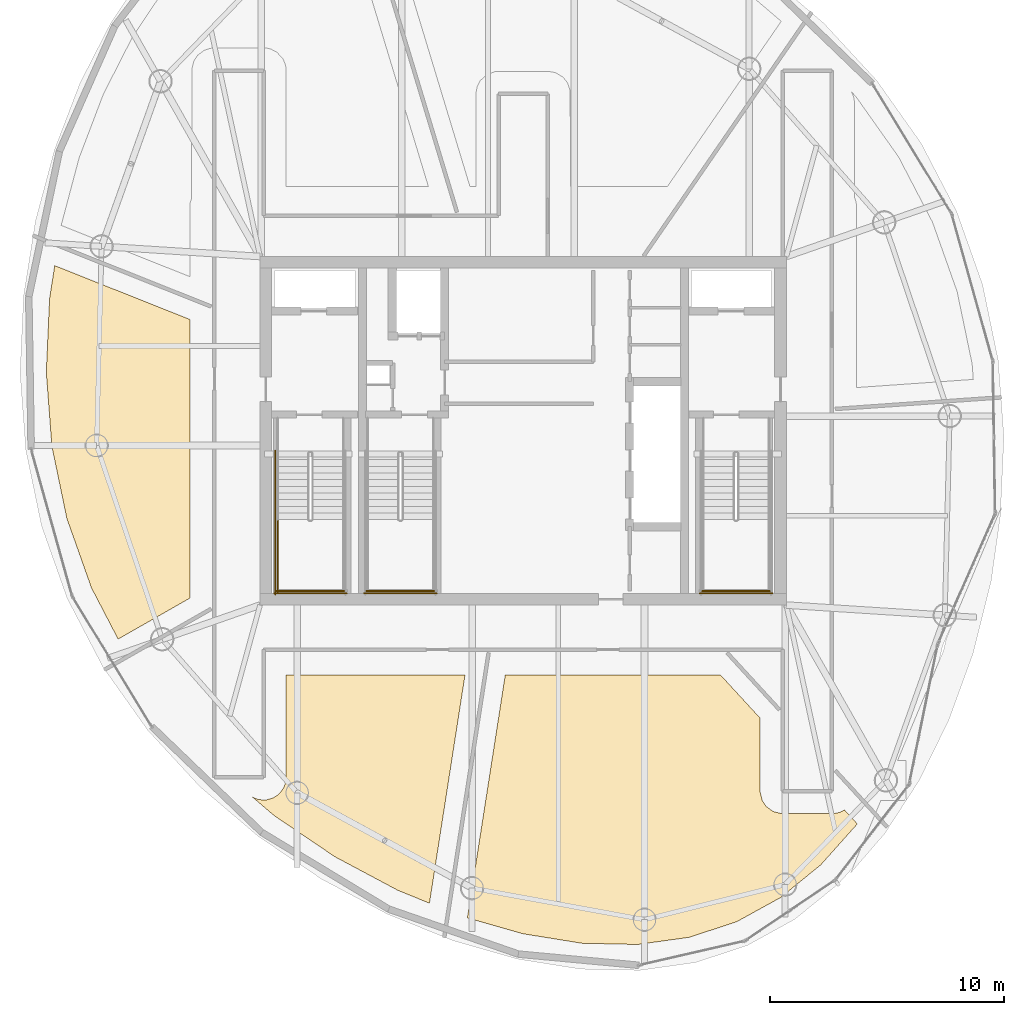
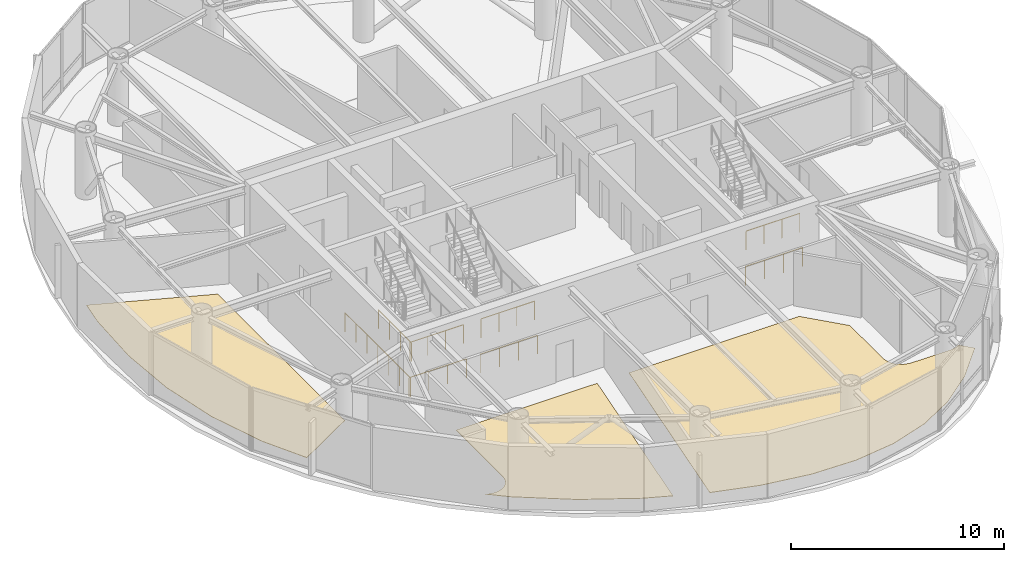
# One storey, part 17 of 19: 8 railings, 3 coverings.
"""IFC4 building model written with IfcOpenShell, lengths in metres."""

from ifc_helpers import new_model, si_unit, direction, frame, origin, origin_2d, place, context, subcontext, project, spatial, polyline, circle, outline, extrude, material, layer, layer_set, type_object, element, save


model = new_model("IFC4")

# Units and contexts
model_context = context("Model", 3, precision=1e-05, world=origin(), true_north=direction((0.0, 1.0)))
body_context = subcontext(model_context, "Body", "Model", "MODEL_VIEW")
ifc_project = project(units=[si_unit("LENGTHUNIT", "METRE"), si_unit("AREAUNIT", "SQUARE_METRE"), si_unit("VOLUMEUNIT", "CUBIC_METRE"), si_unit("PLANEANGLEUNIT", "RADIAN"), si_unit("MASSUNIT", "GRAM", prefix="KILO")], contexts=[model_context])

# Site, building, storey
site_placement = place(None, origin())
site = spatial("IfcSite", under=ifc_project, at=site_placement, CompositionType="ELEMENT")
building_placement = place(site_placement, origin())
building = spatial("IfcBuilding", under=site, at=building_placement, Name="Bramvorn Convention Spire", CompositionType="ELEMENT")
storey_placement = place(building_placement, frame((0.0, 0.0, 299.800048828125)))
storey = spatial("IfcBuildingStorey", under=building, at=storey_placement, Name="L76", CompositionType="ELEMENT", Elevation=299.800048828125)

# Coverings
ifc_material_1 = material(Name="Honed Dolomitic Limestone Terrazzo Flooring", Category="masonry")
ifc_layer = layer(ifc_material_1, 0.02490234375)
ifc_layer_set = layer_set([ifc_layer], Name="Honed Dolomitic Limestone Terrazzo Flooring - FLR-TERRAZZO-25")
covering_type = type_object("IfcCoveringType", Name="FLR-TERRAZZO-25", PredefinedType="FLOORING", material=ifc_layer_set)
covering_1_placement = place(storey_placement, origin())
element("IfcCovering", 1, at=covering_1_placement, inside=storey, type_object=covering_type, Name="L76 Exhibition Main Kitchen 4 raised floor finish", PredefinedType="FLOORING", context=body_context, shape_type="SweptSolid", body=[
    extrude(outline(polyline([(20.682373046875, 17.09521484375), (23.75, 18.845947265625), (23.75, 30.760009765625), (17.973388671875, 33.060302734375), (17.75244140625, 31.6494140625), (17.612548828125, 28.494140625), (17.851318359375, 25.338623046875), (18.49267578125, 22.2490234375), (19.544189453125, 19.28369140625), (20.682373046875, 17.09521484375)])), origin(), (0.0, 0.0, 1.0), 0.02490234375),
])
covering_2_placement = place(storey_placement, origin())
element("IfcCovering", 2, at=covering_2_placement, inside=storey, type_object=covering_type, Name="L76 Sommelier Wine Cellar Store 5 raised floor finish", PredefinedType="FLOORING", context=body_context, shape_type="SweptSolid", body=[
    extrude(outline(polyline([(27.36572265625, 9.5400390625), (29.949951171875, 7.790283203125), (32.63330078125, 6.358154296875), (33.99267578125, 5.80419921875), (35.51123046875, 15.550048828125), (27.8701171875, 15.550048828125), (27.8701171875, 11.185791015625), (27.8388671875, 10.9423828125), (27.772705078125, 10.7626953125), (27.61865234375, 10.534423828125), (27.476318359375, 10.40576171875), (27.30078125, 10.302734375), (27.03662109375, 10.2255859375), (26.84521484375, 10.217529296875), (26.644287109375, 10.250244140625), (26.4287109375, 10.33935546875), (27.36572265625, 9.5400390625)])), origin(), (0.0, 0.0, 1.0), 0.02490234375),
])
covering_3_placement = place(storey_placement, origin())
element("IfcCovering", 3, at=covering_3_placement, inside=storey, type_object=covering_type, Name="L76 Private Event Meeting Suite 6 raised floor finish", PredefinedType="FLOORING", context=body_context, shape_type="SweptSolid", body=[
    extrude(outline(polyline([(37.98193359375, 4.499267578125), (40.515380859375, 4.091796875), (42.893798828125, 4.040283203125), (45.0966796875, 4.346435546875), (47.1259765625, 5.011962890625), (48.996337890625, 6.0419921875), (50.72265625, 7.444580078125), (52.284423828125, 9.193603515625), (51.73486328125, 9.7919921875), (51.521240234375, 9.684814453125), (51.25341796875, 9.631591796875), (49.058349609375, 9.631103515625), (48.690673828125, 9.720703125), (48.38525390625, 9.9443359375), (48.220703125, 10.190673828125), (48.131591796875, 10.54638671875), (48.1298828125, 13.71630859375), (46.4453125, 15.550048828125), (37.231689453125, 15.550048828125), (35.615478515625, 5.177001953125), (37.98193359375, 4.499267578125)])), origin(), (0.0, 0.0, 1.0), 0.02490234375),
])

# Railings
ifc_material_2 = material(Name="Painted Steel Balustrade & Guardrail", Category="steel")
railing_type = type_object("IfcRailingType", Name="RL-STAIR-GUARD-1100", PredefinedType="GUARDRAIL", material=ifc_material_2)
railing_1_placement = place(storey_placement, frame((27.5, 22.199951171875, 1.925048828125)))
element("IfcRailing", 4, at=railing_1_placement, inside=storey, type_object=railing_type, Name="L76 ST1 stair guard 3", PredefinedType="GUARDRAIL", context=body_context, shape_type="SweptSolid", body=[
    extrude(circle(Radius=0.02392578125, at=origin_2d()), frame((0.0, 0.0, 1.076171875), z_axis=(0.0, -1.0, 0.0), x_axis=(1.0, 0.0, 0.0)), (0.0, 0.0, 1.0), 3.099853515625),
    extrude(circle(Radius=0.02099609375, at=origin_2d()), origin(), (0.0, 0.0, 1.0), 1.052001953125),
    extrude(circle(Radius=0.02099609375, at=origin_2d()), frame((0.0, -1.033203125, 0.0)), (0.0, 0.0, 1.0), 1.052001953125),
    extrude(circle(Radius=0.02099609375, at=origin_2d()), frame((0.0, -2.066650390625, 0.0)), (0.0, 0.0, 1.0), 1.052001953125),
    extrude(circle(Radius=0.02099609375, at=origin_2d()), frame((0.0, -3.099853515625, 0.0)), (0.0, 0.0, 1.0), 1.052001953125),
])
railing_2_placement = place(storey_placement, frame((27.449951171875, 19.14990234375, 1.925048828125)))
element("IfcRailing", 5, at=railing_2_placement, inside=storey, type_object=railing_type, Name="L76 ST1 stair guard 5", PredefinedType="GUARDRAIL", context=body_context, shape_type="SweptSolid", body=[
    extrude(circle(Radius=0.02392578125, at=origin_2d()), frame((0.0, 0.0, 1.076171875), z_axis=(1.0, 0.0, 0.0), x_axis=(0.0, 1.0, 0.0)), (0.0, 0.0, 1.0), 2.900146484375),
    extrude(circle(Radius=0.02099609375, at=origin_2d()), origin(), (0.0, 0.0, 1.0), 1.052001953125),
    extrude(circle(Radius=0.02099609375, at=origin_2d()), frame((0.966796875, 0.0, 0.0)), (0.0, 0.0, 1.0), 1.052001953125),
    extrude(circle(Radius=0.02099609375, at=origin_2d()), frame((1.933349609375, 0.0, 0.0)), (0.0, 0.0, 1.0), 1.052001953125),
    extrude(circle(Radius=0.02099609375, at=origin_2d()), frame((2.900146484375, 0.0, 0.0)), (0.0, 0.0, 1.0), 1.052001953125),
])
railing_3_placement = place(storey_placement, frame((27.39990234375, 25.14990234375, 0.0)))
element("IfcRailing", 6, at=railing_3_placement, inside=storey, type_object=railing_type, Name="L76 ST1 stair guard 10", PredefinedType="GUARDRAIL", context=body_context, shape_type="SweptSolid", body=[
    extrude(circle(Radius=0.02392578125, at=origin_2d()), frame((0.0, 0.0, 1.076171875), z_axis=(0.0, -1.0, 0.0), x_axis=(1.0, 0.0, 0.0)), (0.0, 0.0, 1.0), 6.14990234375),
    extrude(circle(Radius=0.02099609375, at=origin_2d()), origin(), (0.0, 0.0, 1.0), 1.052001953125),
    extrude(circle(Radius=0.02099609375, at=origin_2d()), frame((0.0, -1.02490234375, 0.0)), (0.0, 0.0, 1.0), 1.052001953125),
    extrude(circle(Radius=0.02099609375, at=origin_2d()), frame((0.0, -2.050048828125, 0.0)), (0.0, 0.0, 1.0), 1.052001953125),
    extrude(circle(Radius=0.02099609375, at=origin_2d()), frame((0.0, -3.074951171875, 0.0)), (0.0, 0.0, 1.0), 1.052001953125),
    extrude(circle(Radius=0.02099609375, at=origin_2d()), frame((0.0, -4.099853515625, 0.0)), (0.0, 0.0, 1.0), 1.052001953125),
    extrude(circle(Radius=0.02099609375, at=origin_2d()), frame((0.0, -5.125, 0.0)), (0.0, 0.0, 1.0), 1.052001953125),
    extrude(circle(Radius=0.02099609375, at=origin_2d()), frame((0.0, -6.14990234375, 0.0)), (0.0, 0.0, 1.0), 1.052001953125),
])
railing_4_placement = place(storey_placement, frame((27.35009765625, 19.050048828125, 0.0)))
element("IfcRailing", 7, at=railing_4_placement, inside=storey, type_object=railing_type, Name="L76 ST1 stair guard 12", PredefinedType="GUARDRAIL", context=body_context, shape_type="SweptSolid", body=[
    extrude(circle(Radius=0.02392578125, at=origin_2d()), frame((0.0, 0.0, 1.076171875), z_axis=(1.0, 0.0, 0.0), x_axis=(0.0, 1.0, 0.0)), (0.0, 0.0, 1.0), 3.099853515625),
    extrude(circle(Radius=0.02099609375, at=origin_2d()), origin(), (0.0, 0.0, 1.0), 1.052001953125),
    extrude(circle(Radius=0.02099609375, at=origin_2d()), frame((1.033203125, 0.0, 0.0)), (0.0, 0.0, 1.0), 1.052001953125),
    extrude(circle(Radius=0.02099609375, at=origin_2d()), frame((2.066650390625, 0.0, 0.0)), (0.0, 0.0, 1.0), 1.052001953125),
    extrude(circle(Radius=0.02099609375, at=origin_2d()), frame((3.099853515625, 0.0, 0.0)), (0.0, 0.0, 1.0), 1.052001953125),
])
railing_5_placement = place(storey_placement, frame((45.64990234375, 19.14990234375, 1.925048828125)))
element("IfcRailing", 8, at=railing_5_placement, inside=storey, type_object=railing_type, Name="L76 ST2 stair guard 5", PredefinedType="GUARDRAIL", context=body_context, shape_type="SweptSolid", body=[
    extrude(circle(Radius=0.02392578125, at=origin_2d()), frame((0.0, 0.0, 1.076171875), z_axis=(1.0, 0.0, 0.0), x_axis=(0.0, 1.0, 0.0)), (0.0, 0.0, 1.0), 2.900146484375),
    extrude(circle(Radius=0.02099609375, at=origin_2d()), origin(), (0.0, 0.0, 1.0), 1.052001953125),
    extrude(circle(Radius=0.02099609375, at=origin_2d()), frame((0.966796875, 0.0, 0.0)), (0.0, 0.0, 1.0), 1.052001953125),
    extrude(circle(Radius=0.02099609375, at=origin_2d()), frame((1.933349609375, 0.0, 0.0)), (0.0, 0.0, 1.0), 1.052001953125),
    extrude(circle(Radius=0.02099609375, at=origin_2d()), frame((2.900146484375, 0.0, 0.0)), (0.0, 0.0, 1.0), 1.052001953125),
])
railing_6_placement = place(storey_placement, frame((45.550048828125, 19.050048828125, 0.0)))
element("IfcRailing", 9, at=railing_6_placement, inside=storey, type_object=railing_type, Name="L76 ST2 stair guard 12", PredefinedType="GUARDRAIL", context=body_context, shape_type="SweptSolid", body=[
    extrude(circle(Radius=0.02392578125, at=origin_2d()), frame((0.0, 0.0, 1.076171875), z_axis=(1.0, 0.0, 0.0), x_axis=(0.0, 1.0, 0.0)), (0.0, 0.0, 1.0), 3.099853515625),
    extrude(circle(Radius=0.02099609375, at=origin_2d()), origin(), (0.0, 0.0, 1.0), 1.052001953125),
    extrude(circle(Radius=0.02099609375, at=origin_2d()), frame((1.033203125, 0.0, 0.0)), (0.0, 0.0, 1.0), 1.052001953125),
    extrude(circle(Radius=0.02099609375, at=origin_2d()), frame((2.066650390625, 0.0, 0.0)), (0.0, 0.0, 1.0), 1.052001953125),
    extrude(circle(Radius=0.02099609375, at=origin_2d()), frame((3.099853515625, 0.0, 0.0)), (0.0, 0.0, 1.0), 1.052001953125),
])
railing_7_placement = place(storey_placement, frame((31.300048828125, 19.14990234375, 1.925048828125)))
element("IfcRailing", 10, at=railing_7_placement, inside=storey, type_object=railing_type, Name="L76 ST3 stair guard 5", PredefinedType="GUARDRAIL", context=body_context, shape_type="SweptSolid", body=[
    extrude(circle(Radius=0.02392578125, at=origin_2d()), frame((0.0, 0.0, 1.076171875), z_axis=(1.0, 0.0, 0.0), x_axis=(0.0, 1.0, 0.0)), (0.0, 0.0, 1.0), 2.89990234375),
    extrude(circle(Radius=0.02099609375, at=origin_2d()), origin(), (0.0, 0.0, 1.0), 1.052001953125),
    extrude(circle(Radius=0.02099609375, at=origin_2d()), frame((0.966552734375, 0.0, 0.0)), (0.0, 0.0, 1.0), 1.052001953125),
    extrude(circle(Radius=0.02099609375, at=origin_2d()), frame((1.933349609375, 0.0, 0.0)), (0.0, 0.0, 1.0), 1.052001953125),
    extrude(circle(Radius=0.02099609375, at=origin_2d()), frame((2.89990234375, 0.0, 0.0)), (0.0, 0.0, 1.0), 1.052001953125),
])
railing_8_placement = place(storey_placement, frame((31.199951171875, 19.050048828125, 0.0)))
element("IfcRailing", 11, at=railing_8_placement, inside=storey, type_object=railing_type, Name="L76 ST3 stair guard 12", PredefinedType="GUARDRAIL", context=body_context, shape_type="SweptSolid", body=[
    extrude(circle(Radius=0.02392578125, at=origin_2d()), frame((0.0, 0.0, 1.076171875), z_axis=(1.0, 0.0, 0.0), x_axis=(0.0, 1.0, 0.0)), (0.0, 0.0, 1.0), 3.10009765625),
    extrude(circle(Radius=0.02099609375, at=origin_2d()), origin(), (0.0, 0.0, 1.0), 1.052001953125),
    extrude(circle(Radius=0.02099609375, at=origin_2d()), frame((1.033447265625, 0.0, 0.0)), (0.0, 0.0, 1.0), 1.052001953125),
    extrude(circle(Radius=0.02099609375, at=origin_2d()), frame((2.066650390625, 0.0, 0.0)), (0.0, 0.0, 1.0), 1.052001953125),
    extrude(circle(Radius=0.02099609375, at=origin_2d()), frame((3.10009765625, 0.0, 0.0)), (0.0, 0.0, 1.0), 1.052001953125),
])

save(model, "model.ifc")
